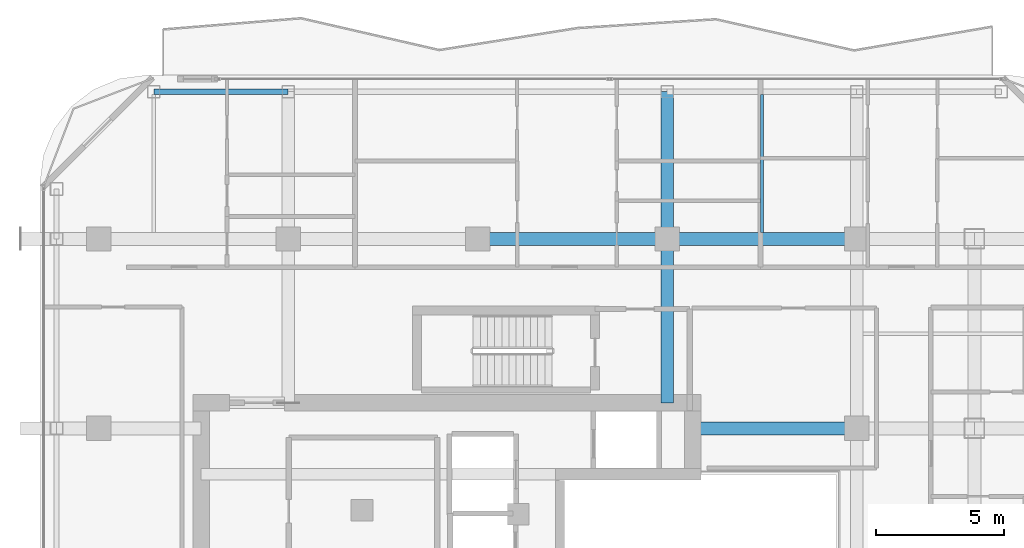
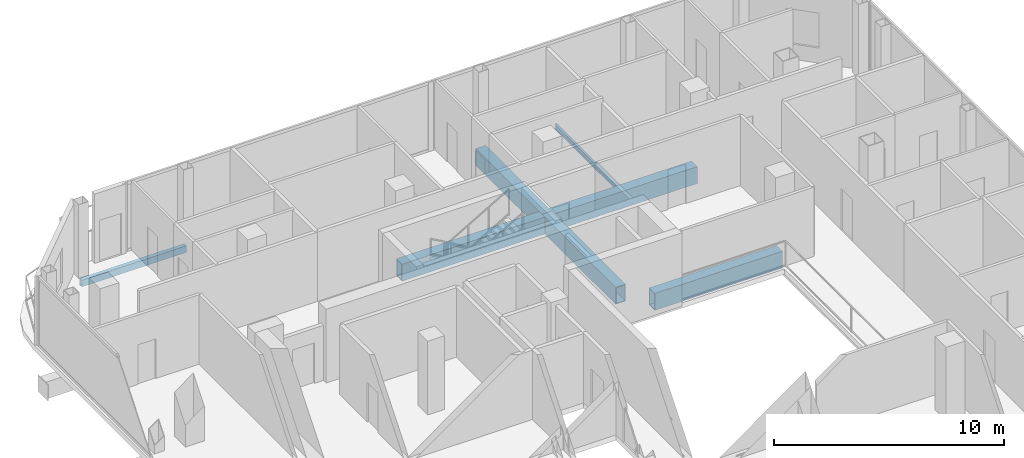
# One storey, part 13 of 25: 7 beams.
"""IFC4 building model written with IfcOpenShell, lengths in metres."""

from ifc_helpers import new_model, si_unit, direction, frame, origin, origin_2d, place, context, subcontext, project, spatial, hollow_rectangle, i_section, extrude, material, material_profile, profile_set, type_object, element, save


model = new_model("IFC4")

# Units and contexts
model_context = context("Model", 3, precision=1e-05, world=origin(), true_north=direction((0.0, 1.0)))
body_context = subcontext(model_context, "Body", "Model", "MODEL_VIEW")
ifc_project = project(units=[si_unit("LENGTHUNIT", "METRE"), si_unit("AREAUNIT", "SQUARE_METRE"), si_unit("VOLUMEUNIT", "CUBIC_METRE"), si_unit("PLANEANGLEUNIT", "RADIAN"), si_unit("MASSUNIT", "GRAM", prefix="KILO")], contexts=[model_context])

# Site, building, storey
site_placement = place(None, origin())
site = spatial("IfcSite", under=ifc_project, at=site_placement, CompositionType="ELEMENT")
building_placement = place(site_placement, origin())
building = spatial("IfcBuilding", under=site, at=building_placement, Name="Khorvyn Point Tower", CompositionType="ELEMENT")
storey_placement = place(building_placement, frame((0.0, 0.0, 254.699951171875)))
storey = spatial("IfcBuildingStorey", under=building, at=storey_placement, Name="L62", CompositionType="ELEMENT", Elevation=254.699951171875)

# Beams
ifc_material_1 = material(Name="Steel S355", Category="steel")
ifc_material_profile_1 = material_profile(ifc_material_1, i_section(OverallWidth=0.125, OverallDepth=0.25, WebThickness=0.006103515625, FlangeThickness=0.009033203125, at=origin_2d()))
ifc_profile_set_1 = profile_set([ifc_material_profile_1], Name="Steel S355 H250x125x6x9")
beam_type_1 = type_object("IfcBeamType", Name="Steel S355 Joist H250x125x6x9", PredefinedType="JOIST", material=ifc_profile_set_1)
beam_1_placement = place(storey_placement, frame((11.10009765625, 15.050048828125, -0.405029296875), z_axis=(0.0, 1.0, 0.0), x_axis=(-1.0, 0.0, 0.0)))
element("IfcBeam", 1, at=beam_1_placement, inside=storey, type_object=beam_type_1, Name="Beam", PredefinedType="JOIST", context=body_context, shape_type="SweptSolid", body=[
    extrude(i_section(OverallWidth=0.125, OverallDepth=0.25, WebThickness=0.006103515625, FlangeThickness=0.009033203125, at=origin_2d()), origin(), (0.0, 0.0, 1.0), 5.39990234375),
])
ifc_material_profile_2 = material_profile(ifc_material_1, hollow_rectangle(XDim=0.199951171875, YDim=0.35009765625, WallThickness=0.013916015625, at=origin_2d()))
ifc_profile_set_2 = profile_set([ifc_material_profile_2], Name="Steel S355 RHS350x200x14")
beam_type_2 = type_object("IfcBeamType", Name="Steel S355 Spandrel RHS350x200x14", PredefinedType="SPANDREL", material=ifc_profile_set_2)
beam_2_placement = place(storey_placement, frame((-12.64990234375, 20.550048828125, -0.454833984375), z_axis=(1.0, 0.0, 0.0), x_axis=(0.0, 1.0, 0.0)))
element("IfcBeam", 2, at=beam_2_placement, inside=storey, type_object=beam_type_2, Name="Beam", PredefinedType="SPANDREL", context=body_context, shape_type="SweptSolid", body=[
    extrude(hollow_rectangle(XDim=0.199951171875, YDim=0.35009765625, WallThickness=0.013916015625, at=origin_2d()), origin(), (0.0, 0.0, 1.0), 5.25),
])
ifc_material_2 = material(Name="Steel S450", Category="steel")
ifc_material_profile_3 = material_profile(ifc_material_2, hollow_rectangle(XDim=0.5, YDim=0.89990234375, WallThickness=0.0400390625, at=origin_2d()))
ifc_profile_set_3 = profile_set([ifc_material_profile_3], Name="Steel S450 BOX900x500x40")
beam_type_3 = type_object("IfcBeamType", Name="Steel S450 Beam BOX900x500x40", PredefinedType="BEAM", material=ifc_profile_set_3)
beam_3_placement = place(storey_placement, frame((0.0, 14.800048828125, -0.72998046875), z_axis=(1.0, 0.0, 0.0), x_axis=(0.0, 1.0, 0.0)))
element("IfcBeam", 3, at=beam_3_placement, inside=storey, type_object=beam_type_3, Name="L62 Radial Transfer Girder", PredefinedType="BEAM", context=body_context, shape_type="SweptSolid", body=[
    extrude(hollow_rectangle(XDim=0.5, YDim=0.89990234375, WallThickness=0.0400390625, at=origin_2d()), origin(), (0.0, 0.0, 1.0), 7.39990234375),
])
beam_4_placement = place(storey_placement, frame((7.39990234375, 14.800048828125, -0.72998046875), z_axis=(1.0, 0.0, 0.0), x_axis=(0.0, 1.0, 0.0)))
element("IfcBeam", 4, at=beam_4_placement, inside=storey, type_object=beam_type_3, Name="L62 Radial Transfer Girder", PredefinedType="BEAM", context=body_context, shape_type="SweptSolid", body=[
    extrude(hollow_rectangle(XDim=0.5, YDim=0.89990234375, WallThickness=0.0400390625, at=origin_2d()), origin(), (0.0, 0.0, 1.0), 7.400146484375),
])
for number, where, z_axis, x_axis, name in (
    (5, (8.39990234375, 7.39990234375, -0.72998046875), (1.0, 0.0, 0.0), (0.0, 1.0, 0.0), "Beam"),
    (6, (7.39990234375, 8.39990234375, -0.72998046875), (0.0, 1.0, 0.0), (-1.0, 0.0, 0.0), "Beam"),
):
    element("IfcBeam", number, at=place(storey_placement, frame(where, z_axis=z_axis, x_axis=x_axis)), inside=storey, type_object=beam_type_3, Name=name, PredefinedType="BEAM", context=body_context, shape_type="SweptSolid", body=[
        extrude(hollow_rectangle(XDim=0.5, YDim=0.89990234375, WallThickness=0.0400390625, at=origin_2d()), origin(), (0.0, 0.0, 1.0), 6.400146484375),
    ])
beam_5_placement = place(storey_placement, frame((7.39990234375, 14.800048828125, -0.72998046875), z_axis=(0.0, 1.0, 0.0), x_axis=(-1.0, 0.0, 0.0)))
element("IfcBeam", 7, at=beam_5_placement, inside=storey, type_object=beam_type_3, Name="Beam", PredefinedType="BEAM", context=body_context, shape_type="SweptSolid", body=[
    extrude(hollow_rectangle(XDim=0.5, YDim=0.89990234375, WallThickness=0.0400390625, at=origin_2d()), origin(), (0.0, 0.0, 1.0), 5.75),
])

save(model, "model.ifc")
